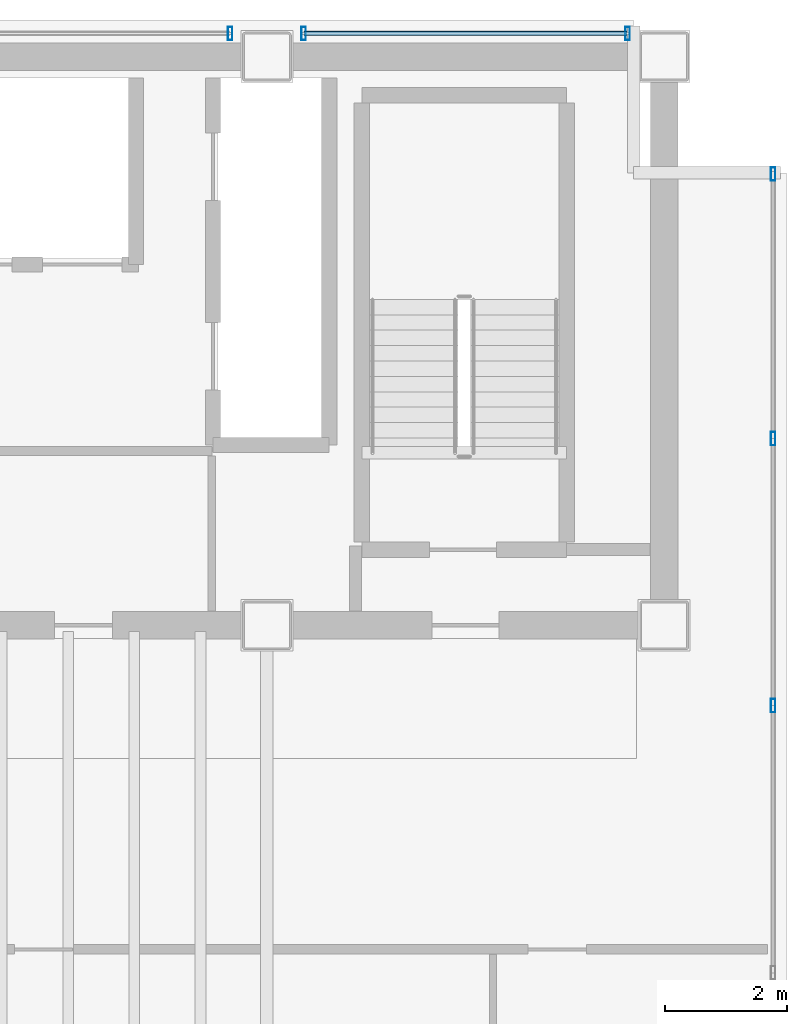
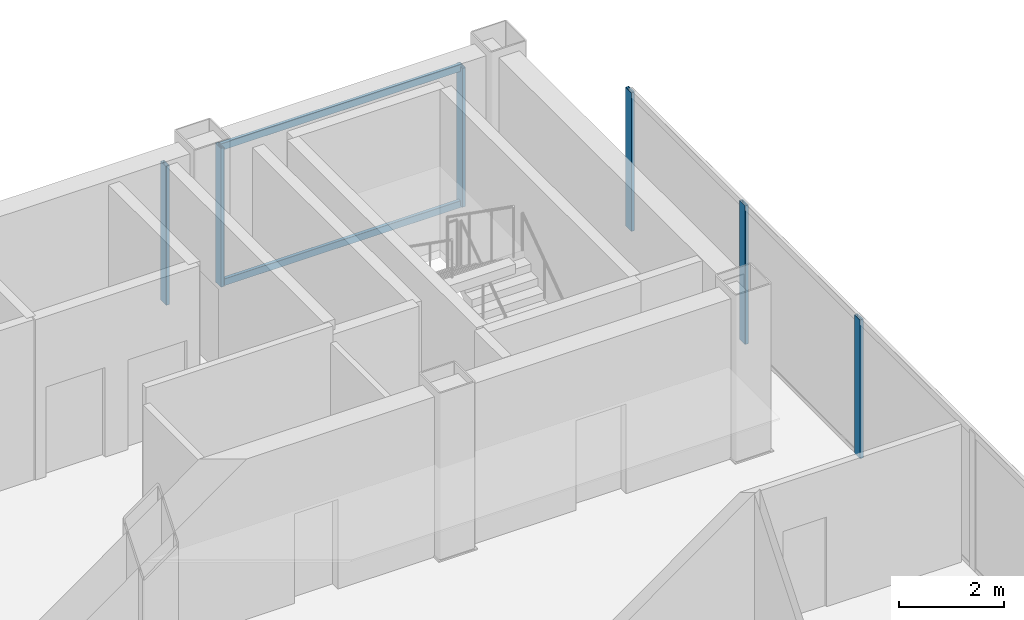
# One storey, part 12 of 16: 8 members, 3 elements without a shape of their own.
"""IFC4 building model written with IfcOpenShell, lengths in metres."""

import ifcopenshell
import ifcopenshell.guid

model = None  # the IFC model being written
_history = None  # IfcOwnerHistory: only IFC2X3 demands one
_inside = {}  # id of a spatial element -> (the spatial element, [elements in it])
_under = {}  # id of a project, library or spatial element -> (it, [spatial elements below it])
_declared = {}  # id of a project -> (the project, [libraries it declares])
_typed = {}  # id of a type object -> (the type object, [elements of that type])
_made_of = {}  # id of a material, layer set ... -> (it, [elements and type objects made of it])


def new_model(schema):
    """Start an empty IFC model of exactly this schema.

    Asked for "IFC4X3", IfcOpenShell would pick the latest addendum, in which some entities
    have other attributes; the version numbers below select the first issue.
    IFC2X3 requires an IfcOwnerHistory on every rooted entity: one is made here for all.
    """
    global model, _history
    if schema == "IFC4X3":
        model = ifcopenshell.file(schema_version=(4, 3, 0, 0))
    else:
        model = ifcopenshell.file(schema=schema)
    _inside.clear()
    _under.clear()
    _declared.clear()
    _typed.clear()
    _made_of.clear()
    _history = None
    if model.schema == "IFC2X3":
        org = make("IfcOrganization", Name="unknown")
        user = make(
            "IfcPersonAndOrganization",
            ThePerson=make("IfcPerson", FamilyName="unknown"),
            TheOrganization=org,
        )
        app = make(
            "IfcApplication",
            ApplicationDeveloper=org,
            Version="unknown",
            ApplicationFullName="unknown",
            ApplicationIdentifier="unknown",
        )
        _history = make(
            "IfcOwnerHistory",
            OwningUser=user,
            OwningApplication=app,
            ChangeAction="ADDED",
            CreationDate=0,
        )
    return model


def make(cls, **values):
    """One entity of the class cls with the attributes given. An attribute that is None is left unset."""
    return model.create_entity(
        cls, **{name: value for name, value in values.items() if value is not None}
    )


def rooted(cls, **values):
    """An entity with a GlobalId (a new one), such as an element, a storey or a relation."""
    return make(cls, GlobalId=ifcopenshell.guid.new(), OwnerHistory=_history, **values)


def si_unit(unit_type, name, prefix=None):
    """IfcSIUnit, for example si_unit("LENGTHUNIT", "METRE", prefix="MILLI")."""
    return make("IfcSIUnit", UnitType=unit_type, Prefix=prefix, Name=name)


def assignment(units):
    """IfcUnitAssignment: the units of a project."""
    return None if units is None else make("IfcUnitAssignment", Units=units)


def point(xyz):
    """IfcCartesianPoint."""
    return None if xyz is None else make("IfcCartesianPoint", Coordinates=xyz)


def direction(xyz):
    """IfcDirection."""
    return None if xyz is None else make("IfcDirection", DirectionRatios=xyz)


def frame(location, z_axis=None, x_axis=None):
    """IfcAxis2Placement3D, a coordinate frame: its origin and axes. An axis left out is left unset."""
    return make(
        "IfcAxis2Placement3D",
        Location=point(location),
        Axis=direction(z_axis),
        RefDirection=direction(x_axis),
    )


def frame_2d(location, x_axis=None):
    """IfcAxis2Placement2D, a coordinate frame in the plane: its origin and x axis."""
    return make(
        "IfcAxis2Placement2D", Location=point(location), RefDirection=direction(x_axis)
    )


def origin():
    """The frame at (0, 0, 0) with its axes left unset."""
    return frame((0.0, 0.0, 0.0))


def origin_2d():
    """The frame at (0, 0) in the plane with its x axis left unset."""
    return frame_2d((0.0, 0.0))


def place(relative_to, where):
    """IfcLocalPlacement: puts the frame where relative to a parent placement (None: the world)."""
    return make(
        "IfcLocalPlacement", PlacementRelTo=relative_to, RelativePlacement=where
    )


def context(
    kind, dimensions, precision=None, world=None, true_north=None, identifier=None
):
    """IfcGeometricRepresentationContext, for example the 3D "Model" context."""
    return make(
        "IfcGeometricRepresentationContext",
        ContextIdentifier=identifier,
        ContextType=kind,
        CoordinateSpaceDimension=dimensions,
        Precision=precision,
        WorldCoordinateSystem=world,
        TrueNorth=true_north,
    )


def subcontext(parent, identifier, kind, view, scale=None):
    """IfcGeometricRepresentationSubContext, for example "Body" below "Model"."""
    return make(
        "IfcGeometricRepresentationSubContext",
        ContextIdentifier=identifier,
        ContextType=kind,
        ParentContext=parent,
        TargetScale=scale,
        TargetView=view,
    )


def project(units=None, contexts=None):
    """IfcProject with its units and contexts."""
    return rooted(
        "IfcProject",
        Name="project",
        RepresentationContexts=contexts,
        UnitsInContext=assignment(units),
    )


def spatial(cls, under=None, at=None, **own):
    """A site, building, storey or space (cls), placed at a placement, below another one or the project."""
    s = rooted(cls, ObjectPlacement=at, **own)
    if under is not None:
        _under.setdefault(under.id(), (under, []))[1].append(s)
    return s


def profile(cls, at=None, kind="AREA", **sizes):
    """A parametric profile (cls). Its sizes go by their IFC names, for example OverallWidth=200.0."""
    return make(cls, ProfileType=kind, Position=at, **sizes)


def hollow_rectangle(**sizes):
    """IfcRectangleHollowProfileDef."""
    return profile("IfcRectangleHollowProfileDef", **sizes)


def extrude(swept, where, along, depth):
    """IfcExtrudedAreaSolid: the profile swept, set in the frame where, extruded along a direction by depth."""
    return make(
        "IfcExtrudedAreaSolid",
        SweptArea=swept,
        Position=where,
        ExtrudedDirection=direction(along),
        Depth=depth,
    )


def shape(context_of_items, identifier, shape_type, items):
    """IfcShapeRepresentation: the items that make up one representation, for example the "Body"."""
    return make(
        "IfcShapeRepresentation",
        ContextOfItems=context_of_items,
        RepresentationIdentifier=identifier,
        RepresentationType=shape_type,
        Items=items,
    )


def material(Name=None, Category=None):
    """IfcMaterial."""
    return make("IfcMaterial", Name=Name, Category=Category)


def material_profile(
    of_material, cross_section, Name=None, Category=None, Priority=None
):
    """IfcMaterialProfile: a cross section and its material."""
    return make(
        "IfcMaterialProfile",
        Name=Name,
        Material=of_material,
        Profile=cross_section,
        Priority=Priority,
        Category=Category,
    )


def profile_set(profiles, Name=None, composite=None):
    """IfcMaterialProfileSet."""
    return make(
        "IfcMaterialProfileSet",
        Name=Name,
        MaterialProfiles=profiles,
        CompositeProfile=composite,
    )


def made_of(thing, what):
    """Note that an element or type object is made of a material, layer set ...; save() writes the relation."""
    if what is not None:
        _made_of.setdefault(what.id(), (what, []))[1].append(thing)
    return thing


def type_object(cls, material=None, **own):
    """A type object (cls), such as IfcWallType, which elements share."""
    return made_of(rooted(cls, **own), material)


def element(
    cls,
    number,
    at=None,
    inside=None,
    cuts=None,
    type_object=None,
    material=None,
    context=None,
    identifier="Body",
    shape_type=None,
    held_by="IfcProductDefinitionShape",
    body=None,
    shapes=None,
    **own,
):
    """One element of the class cls, such as IfcWall. Its Tag is "e" and its number.

    at: its placement. inside: the storey or other place that contains it. cuts: it is an
    opening in that element (IfcRelVoidsElement). A single representation is given by context,
    identifier, shape_type and body (its items); several are given by shapes. held_by: the class
    of the entity that holds the representations. save() writes the other relations.
    """
    e = rooted(cls, Tag="e%d" % number, ObjectPlacement=at, **own)
    if body is not None:
        shapes = [shape(context, identifier, shape_type, body)]
    if shapes is not None:
        e.Representation = make(held_by, Representations=shapes)
    if inside is not None:
        _inside.setdefault(inside.id(), (inside, []))[1].append(e)
    if cuts is not None:
        rooted(
            "IfcRelVoidsElement", RelatingBuildingElement=cuts, RelatedOpeningElement=e
        )
    if type_object is not None:
        _typed.setdefault(type_object.id(), (type_object, []))[1].append(e)
    return made_of(e, material)


def aggregate(whole, parts):
    """IfcRelAggregates: a whole, such as a stair, and the parts it consists of."""
    return rooted("IfcRelAggregates", RelatingObject=whole, RelatedObjects=parts)


def save(model, path):
    """Write the relations noted so far, then the file.

    IfcRelAggregates (storeys below a building ...), IfcRelContainedInSpatialStructure (elements
    in a storey), IfcRelDefinesByType, IfcRelAssociatesMaterial and IfcRelDeclares: one each for
    every whole, place, type object, material and project.
    """
    for whole, parts in _under.values():
        aggregate(whole, parts)
    for where, things in _inside.values():
        rooted(
            "IfcRelContainedInSpatialStructure",
            RelatedElements=things,
            RelatingStructure=where,
        )
    for kind, things in _typed.values():
        rooted("IfcRelDefinesByType", RelatedObjects=things, RelatingType=kind)
    for what, things in _made_of.values():
        rooted("IfcRelAssociatesMaterial", RelatedObjects=things, RelatingMaterial=what)
    for by, libraries in _declared.values():
        rooted("IfcRelDeclares", RelatingContext=by, RelatedDefinitions=libraries)
    model.write(path)


model = new_model("IFC4")

# Units and contexts
model_context = context("Model", 3, precision=1e-05, world=origin(), true_north=direction((0.0, 1.0)))
body_context = subcontext(model_context, "Body", "Model", "MODEL_VIEW")
ifc_project = project(units=[si_unit("LENGTHUNIT", "METRE"), si_unit("AREAUNIT", "SQUARE_METRE"), si_unit("VOLUMEUNIT", "CUBIC_METRE"), si_unit("PLANEANGLEUNIT", "RADIAN"), si_unit("MASSUNIT", "GRAM", prefix="KILO")], contexts=[model_context])

# Site, building, storey
site_placement = place(None, origin())
site = spatial("IfcSite", under=ifc_project, at=site_placement, CompositionType="ELEMENT")
building_placement = place(site_placement, origin())
building = spatial("IfcBuilding", under=site, at=building_placement, Name="Noeulbin Bourse Tower", CompositionType="ELEMENT")
storey_placement = place(building_placement, frame((0.0, 0.0, 234.5)))
storey = spatial("IfcBuildingStorey", under=building, at=storey_placement, Name="L58", CompositionType="ELEMENT", Elevation=234.5)

# Curtain wall, member
ifc_material_1 = material(Name="High-Selectivity Low-Iron Glazing", Category="glass")
curtain_wall_type = type_object("IfcCurtainWallType", Name="CW-SYS-4", PredefinedType="NOTDEFINED", material=ifc_material_1)
curtain_wall_1_placement = place(storey_placement, origin())
curtain_wall_1 = element("IfcCurtainWall", 1, at=curtain_wall_1_placement, inside=storey, type_object=curtain_wall_type, Name="Unitised Curtain Wall CW-L58-N-S5", PredefinedType="NOTDEFINED")
ifc_material_2 = material(Name="Anodised Aluminium 6063-T6", Category="aluminium")
ifc_material_profile_1 = material_profile(ifc_material_2, hollow_rectangle(XDim=0.074951171875, YDim=0.219970703125, WallThickness=0.0048828125, InnerFilletRadius=0.00244140625, OuterFilletRadius=0.0048828125, at=origin_2d()), Name="ALU-MULL-75x220x5", Category="LoadBearing")
ifc_profile_set_1 = profile_set([ifc_material_profile_1], Name="Anodised Aluminium 6063-T6")
member_type_1 = type_object("IfcMemberType", Name="CW-SYS-4-MUL", PredefinedType="MULLION", material=ifc_profile_set_1)
member_1_placement = place(storey_placement, frame((36.89990234375, 38.679931640625, -0.02001953125), z_axis=(0.0, 0.0, 1.0), x_axis=(1.0, 0.0, 0.0)))
member_1 = element("IfcMember", 2, at=member_1_placement, type_object=member_type_1, Name="Curtain Wall Mullion CW-L58-N-S5-M01", PredefinedType="MULLION", context=body_context, shape_type="SweptSolid", body=[
    extrude(hollow_rectangle(XDim=0.074951171875, YDim=0.219970703125, WallThickness=0.0048828125, InnerFilletRadius=0.00244140625, OuterFilletRadius=0.0048828125, at=origin_2d()), origin(), (0.0, 0.0, 1.0), 3.219970703125),
])
aggregate(curtain_wall_1, [member_1])

# Curtain wall, members
curtain_wall_2_placement = place(storey_placement, origin())
curtain_wall_2 = element("IfcCurtainWall", 3, at=curtain_wall_2_placement, inside=storey, type_object=curtain_wall_type, Name="Unitised Curtain Wall CW-L58-N-S6", PredefinedType="NOTDEFINED")
member_2_placement = place(storey_placement, frame((38.10009765625, 38.679931640625, -0.02001953125), z_axis=(0.0, 0.0, 1.0), x_axis=(1.0, 0.0, 0.0)))
member_2 = element("IfcMember", 4, at=member_2_placement, type_object=member_type_1, Name="Curtain Wall Mullion CW-L58-N-S6-M00", PredefinedType="MULLION", context=body_context, shape_type="SweptSolid", body=[
    extrude(hollow_rectangle(XDim=0.074951171875, YDim=0.219970703125, WallThickness=0.0048828125, InnerFilletRadius=0.00244140625, OuterFilletRadius=0.0048828125, at=origin_2d()), origin(), (0.0, 0.0, 1.0), 3.219970703125),
])
member_3_placement = place(storey_placement, frame((43.39990234375, 38.679931640625, -0.02001953125), z_axis=(0.0, 0.0, 1.0), x_axis=(1.0, 0.0, 0.0)))
member_3 = element("IfcMember", 5, at=member_3_placement, type_object=member_type_1, Name="Curtain Wall Mullion CW-L58-N-S6-M01", PredefinedType="MULLION", context=body_context, shape_type="SweptSolid", body=[
    extrude(hollow_rectangle(XDim=0.074951171875, YDim=0.219970703125, WallThickness=0.0048828125, InnerFilletRadius=0.00244140625, OuterFilletRadius=0.0048828125, at=origin_2d()), origin(), (0.0, 0.0, 1.0), 3.219970703125),
])

curtain_wall_3_placement = place(storey_placement, origin())
curtain_wall_3 = element("IfcCurtainWall", 6, at=curtain_wall_3_placement, inside=storey, type_object=curtain_wall_type, Name="Unitised Curtain Wall CW-L58-E", PredefinedType="NOTDEFINED")
member_4_placement = place(storey_placement, frame((45.780029296875, 27.68408203125, -0.02001953125), z_axis=(0.0, 0.0, 1.0), x_axis=(1.0, 0.0, 0.0)))
member_4 = element("IfcMember", 7, at=member_4_placement, type_object=member_type_1, Name="Curtain Wall Mullion CW-L58-E-M03", PredefinedType="MULLION", context=body_context, shape_type="SweptSolid", body=[
    extrude(hollow_rectangle(XDim=0.074951171875, YDim=0.219970703125, WallThickness=0.0048828125, InnerFilletRadius=0.00244140625, OuterFilletRadius=0.0048828125, at=origin_2d()), origin(), (0.0, 0.0, 1.0), 3.219970703125),
])
member_5_placement = place(storey_placement, frame((45.780029296875, 32.052001953125, -0.02001953125), z_axis=(0.0, 0.0, 1.0), x_axis=(1.0, 0.0, 0.0)))
member_5 = element("IfcMember", 8, at=member_5_placement, type_object=member_type_1, Name="Curtain Wall Mullion CW-L58-E-M04", PredefinedType="MULLION", context=body_context, shape_type="SweptSolid", body=[
    extrude(hollow_rectangle(XDim=0.074951171875, YDim=0.219970703125, WallThickness=0.0048828125, InnerFilletRadius=0.00244140625, OuterFilletRadius=0.0048828125, at=origin_2d()), origin(), (0.0, 0.0, 1.0), 3.219970703125),
])
member_6_placement = place(storey_placement, frame((45.780029296875, 36.3798828125, -0.02001953125), z_axis=(0.0, 0.0, 1.0), x_axis=(1.0, 0.0, 0.0)))
member_6 = element("IfcMember", 9, at=member_6_placement, type_object=member_type_1, Name="Curtain Wall Mullion CW-L58-E-M05", PredefinedType="MULLION", context=body_context, shape_type="SweptSolid", body=[
    extrude(hollow_rectangle(XDim=0.074951171875, YDim=0.219970703125, WallThickness=0.0048828125, InnerFilletRadius=0.00244140625, OuterFilletRadius=0.0048828125, at=origin_2d()), origin(), (0.0, 0.0, 1.0), 3.219970703125),
])
aggregate(curtain_wall_3, [member_4, member_5, member_6])

# Member
ifc_material_profile_2 = material_profile(ifc_material_2, hollow_rectangle(XDim=0.074951171875, YDim=0.159912109375, WallThickness=0.0048828125, InnerFilletRadius=0.00244140625, OuterFilletRadius=0.0048828125, at=origin_2d()), Name="ALU-TRAN-75x160x5", Category="LoadBearing")
ifc_profile_set_2 = profile_set([ifc_material_profile_2], Name="Anodised Aluminium 6063-T6")
member_type_2 = type_object("IfcMemberType", Name="CW-SYS-4-TRN", PredefinedType="USERDEFINED", material=ifc_profile_set_2)
member_7_placement = place(storey_placement, frame((38.110107421875, 38.679931640625, 0.010009765625), z_axis=(1.0, 0.0, 0.0), x_axis=(0.0, 1.0, 0.0)))
member_7 = element("IfcMember", 10, at=member_7_placement, type_object=member_type_2, Name="Curtain Wall Transom CW-L58-N-S6-T00", ObjectType="TRANSOM", PredefinedType="USERDEFINED", context=body_context, shape_type="SweptSolid", body=[
    extrude(hollow_rectangle(XDim=0.074951171875, YDim=0.159912109375, WallThickness=0.0048828125, InnerFilletRadius=0.00244140625, OuterFilletRadius=0.0048828125, at=origin_2d()), origin(), (0.0, 0.0, 1.0), 5.27978515625),
])

member_8_placement = place(storey_placement, frame((38.110107421875, 38.679931640625, 3.169921875), z_axis=(1.0, 0.0, 0.0), x_axis=(0.0, 1.0, 0.0)))
member_8 = element("IfcMember", 11, at=member_8_placement, type_object=member_type_2, Name="Curtain Wall Transom CW-L58-N-S6-T01", ObjectType="TRANSOM", PredefinedType="USERDEFINED", context=body_context, shape_type="SweptSolid", body=[
    extrude(hollow_rectangle(XDim=0.074951171875, YDim=0.159912109375, WallThickness=0.0048828125, InnerFilletRadius=0.00244140625, OuterFilletRadius=0.0048828125, at=origin_2d()), origin(), (0.0, 0.0, 1.0), 5.27978515625),
])

aggregate(curtain_wall_2, [member_2, member_3, member_7, member_8])

save(model, "model.ifc")
